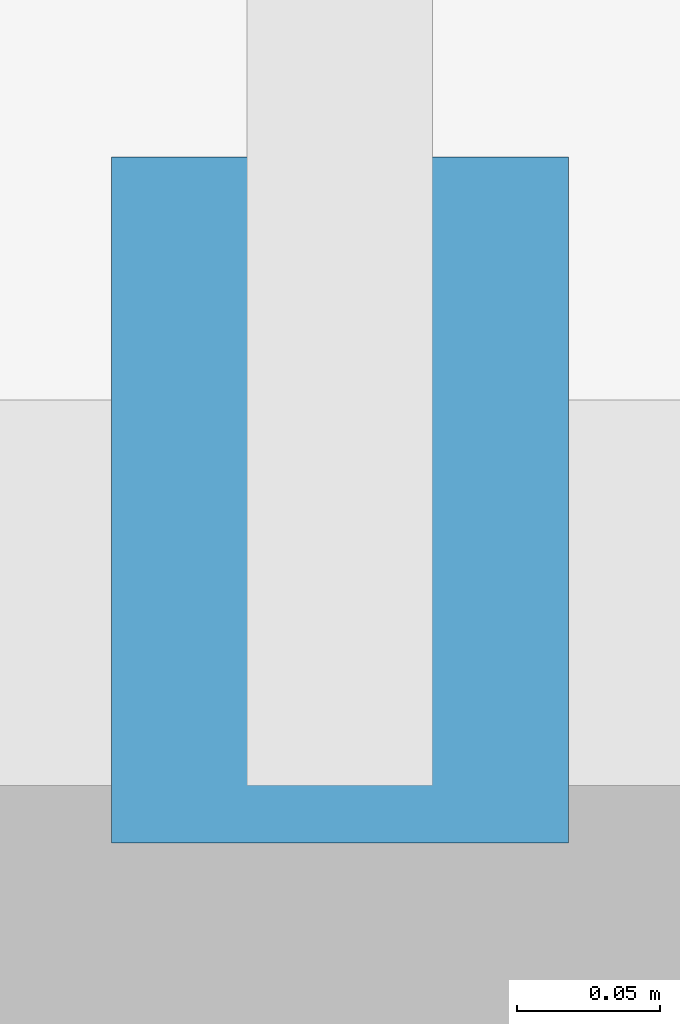
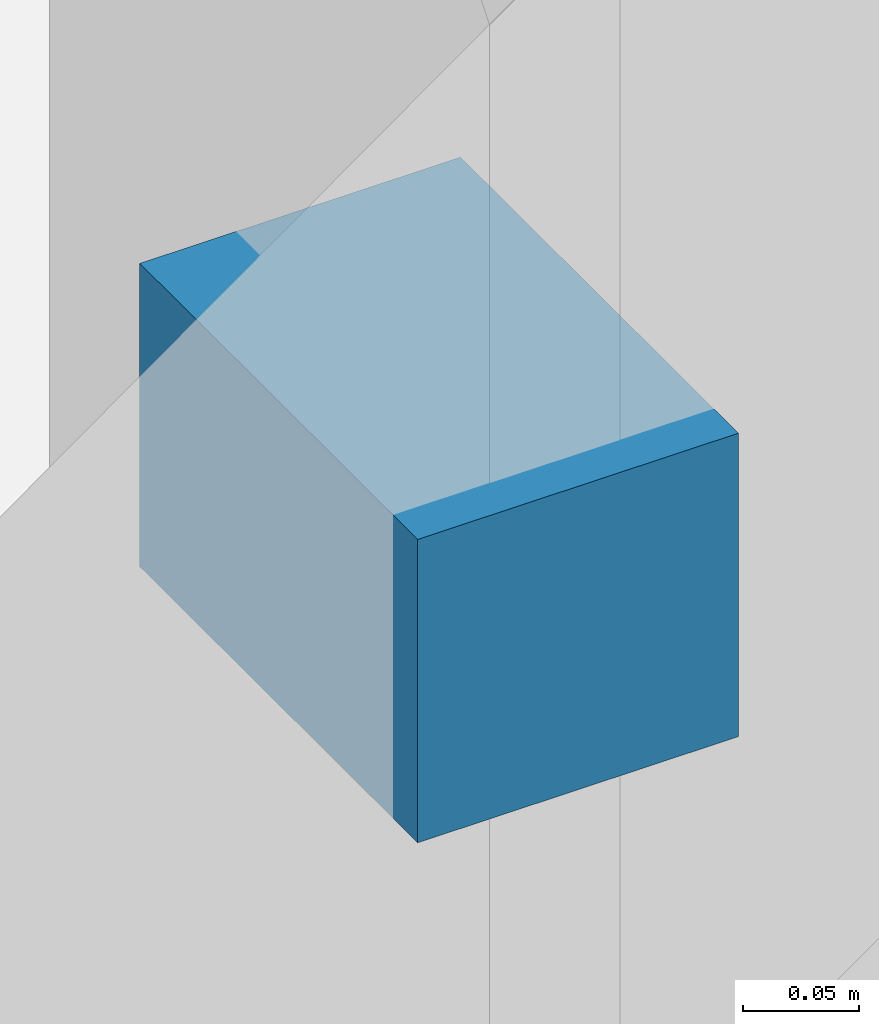
# One storey, part 58 of 69: 1 discrete accessory.
"""IFC4 building model written with IfcOpenShell, lengths in metres."""

import ifcopenshell
import ifcopenshell.guid

model = None  # the IFC model being written
_history = None  # IfcOwnerHistory: only IFC2X3 demands one
_inside = {}  # id of a spatial element -> (the spatial element, [elements in it])
_under = {}  # id of a project, library or spatial element -> (it, [spatial elements below it])
_declared = {}  # id of a project -> (the project, [libraries it declares])
_typed = {}  # id of a type object -> (the type object, [elements of that type])
_made_of = {}  # id of a material, layer set ... -> (it, [elements and type objects made of it])


def new_model(schema):
    """Start an empty IFC model of exactly this schema.

    Asked for "IFC4X3", IfcOpenShell would pick the latest addendum, in which some entities
    have other attributes; the version numbers below select the first issue.
    IFC2X3 requires an IfcOwnerHistory on every rooted entity: one is made here for all.
    """
    global model, _history
    if schema == "IFC4X3":
        model = ifcopenshell.file(schema_version=(4, 3, 0, 0))
    else:
        model = ifcopenshell.file(schema=schema)
    _inside.clear()
    _under.clear()
    _declared.clear()
    _typed.clear()
    _made_of.clear()
    _history = None
    if model.schema == "IFC2X3":
        org = make("IfcOrganization", Name="unknown")
        user = make(
            "IfcPersonAndOrganization",
            ThePerson=make("IfcPerson", FamilyName="unknown"),
            TheOrganization=org,
        )
        app = make(
            "IfcApplication",
            ApplicationDeveloper=org,
            Version="unknown",
            ApplicationFullName="unknown",
            ApplicationIdentifier="unknown",
        )
        _history = make(
            "IfcOwnerHistory",
            OwningUser=user,
            OwningApplication=app,
            ChangeAction="ADDED",
            CreationDate=0,
        )
    return model


def make(cls, **values):
    """One entity of the class cls with the attributes given. An attribute that is None is left unset."""
    return model.create_entity(
        cls, **{name: value for name, value in values.items() if value is not None}
    )


def rooted(cls, **values):
    """An entity with a GlobalId (a new one), such as an element, a storey or a relation."""
    return make(cls, GlobalId=ifcopenshell.guid.new(), OwnerHistory=_history, **values)


def si_unit(unit_type, name, prefix=None):
    """IfcSIUnit, for example si_unit("LENGTHUNIT", "METRE", prefix="MILLI")."""
    return make("IfcSIUnit", UnitType=unit_type, Prefix=prefix, Name=name)


def assignment(units):
    """IfcUnitAssignment: the units of a project."""
    return None if units is None else make("IfcUnitAssignment", Units=units)


def point(xyz):
    """IfcCartesianPoint."""
    return None if xyz is None else make("IfcCartesianPoint", Coordinates=xyz)


def direction(xyz):
    """IfcDirection."""
    return None if xyz is None else make("IfcDirection", DirectionRatios=xyz)


def frame(location, z_axis=None, x_axis=None):
    """IfcAxis2Placement3D, a coordinate frame: its origin and axes. An axis left out is left unset."""
    return make(
        "IfcAxis2Placement3D",
        Location=point(location),
        Axis=direction(z_axis),
        RefDirection=direction(x_axis),
    )


def frame_2d(location, x_axis=None):
    """IfcAxis2Placement2D, a coordinate frame in the plane: its origin and x axis."""
    return make(
        "IfcAxis2Placement2D", Location=point(location), RefDirection=direction(x_axis)
    )


def origin():
    """The frame at (0, 0, 0) with its axes left unset."""
    return frame((0.0, 0.0, 0.0))


def origin_2d():
    """The frame at (0, 0) in the plane with its x axis left unset."""
    return frame_2d((0.0, 0.0))


def place(relative_to, where):
    """IfcLocalPlacement: puts the frame where relative to a parent placement (None: the world)."""
    return make(
        "IfcLocalPlacement", PlacementRelTo=relative_to, RelativePlacement=where
    )


def context(
    kind, dimensions, precision=None, world=None, true_north=None, identifier=None
):
    """IfcGeometricRepresentationContext, for example the 3D "Model" context."""
    return make(
        "IfcGeometricRepresentationContext",
        ContextIdentifier=identifier,
        ContextType=kind,
        CoordinateSpaceDimension=dimensions,
        Precision=precision,
        WorldCoordinateSystem=world,
        TrueNorth=true_north,
    )


def subcontext(parent, identifier, kind, view, scale=None):
    """IfcGeometricRepresentationSubContext, for example "Body" below "Model"."""
    return make(
        "IfcGeometricRepresentationSubContext",
        ContextIdentifier=identifier,
        ContextType=kind,
        ParentContext=parent,
        TargetScale=scale,
        TargetView=view,
    )


def project(units=None, contexts=None):
    """IfcProject with its units and contexts."""
    return rooted(
        "IfcProject",
        Name="project",
        RepresentationContexts=contexts,
        UnitsInContext=assignment(units),
    )


def spatial(cls, under=None, at=None, **own):
    """A site, building, storey or space (cls), placed at a placement, below another one or the project."""
    s = rooted(cls, ObjectPlacement=at, **own)
    if under is not None:
        _under.setdefault(under.id(), (under, []))[1].append(s)
    return s


def profile(cls, at=None, kind="AREA", **sizes):
    """A parametric profile (cls). Its sizes go by their IFC names, for example OverallWidth=200.0."""
    return make(cls, ProfileType=kind, Position=at, **sizes)


def rectangle(**sizes):
    """IfcRectangleProfileDef."""
    return profile("IfcRectangleProfileDef", **sizes)


def extrude(swept, where, along, depth):
    """IfcExtrudedAreaSolid: the profile swept, set in the frame where, extruded along a direction by depth."""
    return make(
        "IfcExtrudedAreaSolid",
        SweptArea=swept,
        Position=where,
        ExtrudedDirection=direction(along),
        Depth=depth,
    )


def shape(context_of_items, identifier, shape_type, items):
    """IfcShapeRepresentation: the items that make up one representation, for example the "Body"."""
    return make(
        "IfcShapeRepresentation",
        ContextOfItems=context_of_items,
        RepresentationIdentifier=identifier,
        RepresentationType=shape_type,
        Items=items,
    )


def material(Name=None, Category=None):
    """IfcMaterial."""
    return make("IfcMaterial", Name=Name, Category=Category)


def made_of(thing, what):
    """Note that an element or type object is made of a material, layer set ...; save() writes the relation."""
    if what is not None:
        _made_of.setdefault(what.id(), (what, []))[1].append(thing)
    return thing


def type_object(cls, material=None, **own):
    """A type object (cls), such as IfcWallType, which elements share."""
    return made_of(rooted(cls, **own), material)


def element(
    cls,
    number,
    at=None,
    inside=None,
    cuts=None,
    type_object=None,
    material=None,
    context=None,
    identifier="Body",
    shape_type=None,
    held_by="IfcProductDefinitionShape",
    body=None,
    shapes=None,
    **own,
):
    """One element of the class cls, such as IfcWall. Its Tag is "e" and its number.

    at: its placement. inside: the storey or other place that contains it. cuts: it is an
    opening in that element (IfcRelVoidsElement). A single representation is given by context,
    identifier, shape_type and body (its items); several are given by shapes. held_by: the class
    of the entity that holds the representations. save() writes the other relations.
    """
    e = rooted(cls, Tag="e%d" % number, ObjectPlacement=at, **own)
    if body is not None:
        shapes = [shape(context, identifier, shape_type, body)]
    if shapes is not None:
        e.Representation = make(held_by, Representations=shapes)
    if inside is not None:
        _inside.setdefault(inside.id(), (inside, []))[1].append(e)
    if cuts is not None:
        rooted(
            "IfcRelVoidsElement", RelatingBuildingElement=cuts, RelatedOpeningElement=e
        )
    if type_object is not None:
        _typed.setdefault(type_object.id(), (type_object, []))[1].append(e)
    return made_of(e, material)


def aggregate(whole, parts):
    """IfcRelAggregates: a whole, such as a stair, and the parts it consists of."""
    return rooted("IfcRelAggregates", RelatingObject=whole, RelatedObjects=parts)


def save(model, path):
    """Write the relations noted so far, then the file.

    IfcRelAggregates (storeys below a building ...), IfcRelContainedInSpatialStructure (elements
    in a storey), IfcRelDefinesByType, IfcRelAssociatesMaterial and IfcRelDeclares: one each for
    every whole, place, type object, material and project.
    """
    for whole, parts in _under.values():
        aggregate(whole, parts)
    for where, things in _inside.values():
        rooted(
            "IfcRelContainedInSpatialStructure",
            RelatedElements=things,
            RelatingStructure=where,
        )
    for kind, things in _typed.values():
        rooted("IfcRelDefinesByType", RelatedObjects=things, RelatingType=kind)
    for what, things in _made_of.values():
        rooted("IfcRelAssociatesMaterial", RelatedObjects=things, RelatingMaterial=what)
    for by, libraries in _declared.values():
        rooted("IfcRelDeclares", RelatingContext=by, RelatedDefinitions=libraries)
    model.write(path)


model = new_model("IFC4")

# Units and contexts
model_context = context("Model", 3, precision=1e-05, world=origin(), true_north=direction((0.0, 1.0)))
body_context = subcontext(model_context, "Body", "Model", "MODEL_VIEW")
ifc_project = project(units=[si_unit("LENGTHUNIT", "METRE"), si_unit("AREAUNIT", "SQUARE_METRE"), si_unit("VOLUMEUNIT", "CUBIC_METRE"), si_unit("PLANEANGLEUNIT", "RADIAN"), si_unit("MASSUNIT", "GRAM", prefix="KILO")], contexts=[model_context])

# Site, building, storey
site_placement = place(None, origin())
site = spatial("IfcSite", under=ifc_project, at=site_placement, CompositionType="ELEMENT")
building_placement = place(site_placement, origin())
building = spatial("IfcBuilding", under=site, at=building_placement, Name="Ciguamira Faculty of Natural Sciences", CompositionType="ELEMENT")
storey_placement = place(building_placement, origin())
storey = spatial("IfcBuildingStorey", under=building, at=storey_placement, Name="L00", CompositionType="ELEMENT", Elevation=0.0)

# Discrete accessory
ifc_material = material(Name="Stainless steel fixing bracket", Category="steel")
discrete_accessory_type = type_object("IfcDiscreteAccessoryType", Name="FacadeBracket_BK01", PredefinedType="BRACKET", material=ifc_material)
discrete_accessory_placement = place(storey_placement, frame((158.550048828125, 24.239990234375, 1.39501953125), z_axis=(0.0, 0.0, 1.0), x_axis=(1.0, 0.0, 0.0)))
element("IfcDiscreteAccessory", 1, at=discrete_accessory_placement, inside=storey, type_object=discrete_accessory_type, Name="L00 sunshade fixing bracket 0004", PredefinedType="BRACKET", context=body_context, shape_type="SweptSolid", body=[
    extrude(rectangle(XDim=0.159912109375, YDim=0.239990234375, at=origin_2d()), origin(), (0.0, 0.0, 1.0), 0.159912109375),
])

save(model, "model.ifc")
